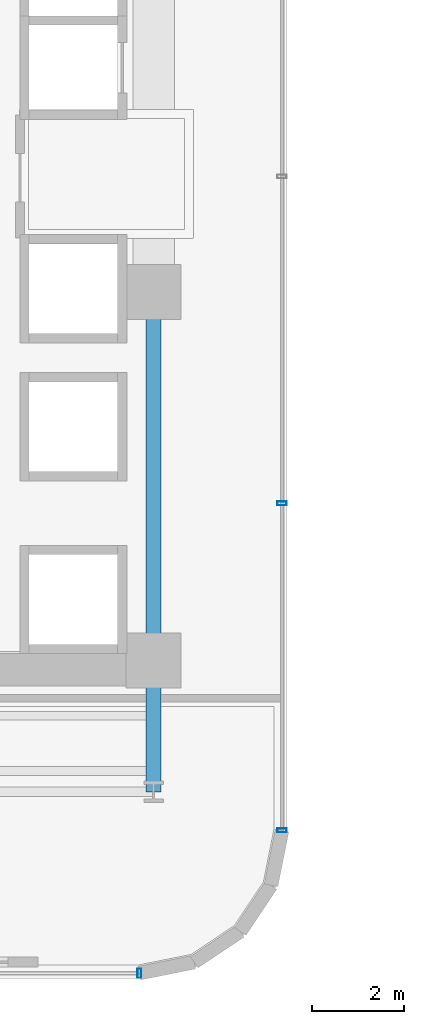
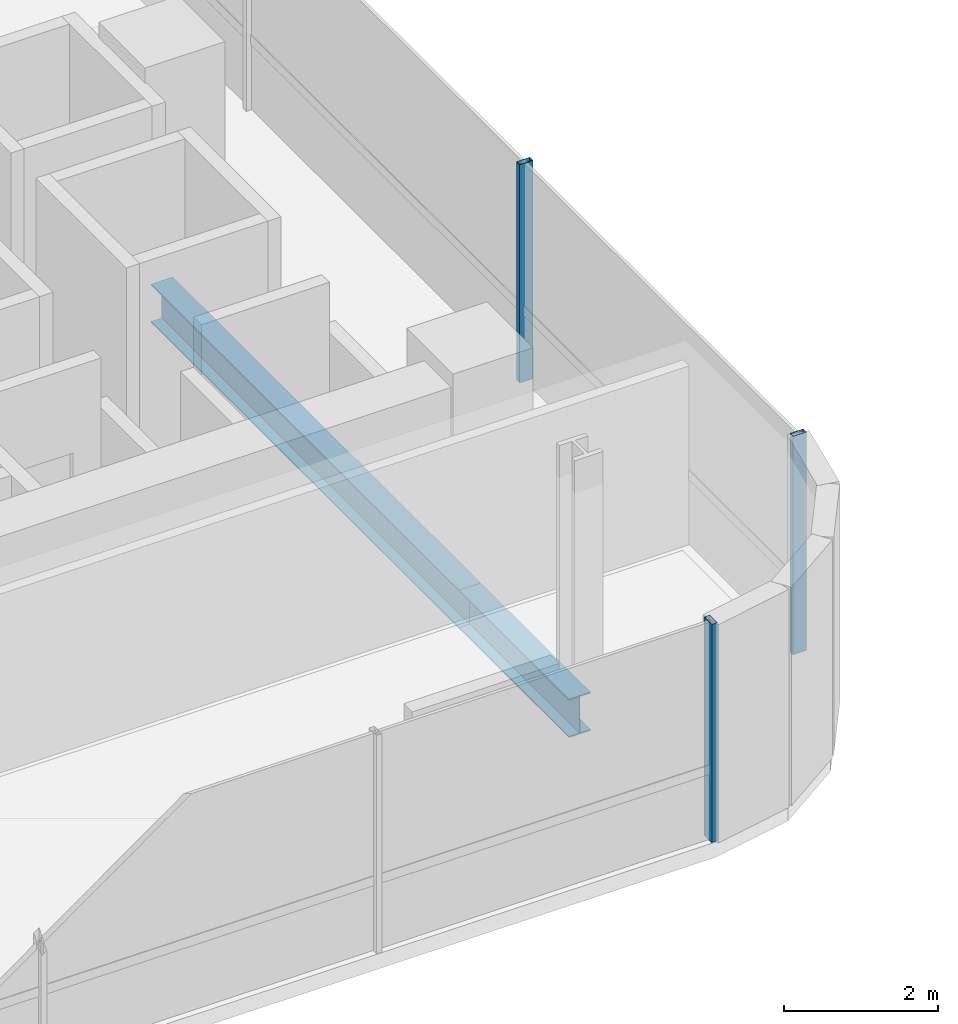
# One storey, part 5 of 35: 3 members, 2 beams, 2 elements without a shape of their own.
"""IFC4 building model written with IfcOpenShell, lengths in metres."""

from ifc_helpers import new_model, si_unit, direction, frame, origin, origin_2d, place, context, subcontext, project, spatial, hollow_rectangle, i_section, extrude, source, transform, mapped, material, material_profile, profile_set, type_object, element, aggregate, save


model = new_model("IFC4")

# Units and contexts
model_context = context("Model", 3, precision=1e-05, world=origin(), true_north=direction((0.0, 1.0)))
body_context = subcontext(model_context, "Body", "Model", "MODEL_VIEW")
ifc_project = project(units=[si_unit("LENGTHUNIT", "METRE"), si_unit("AREAUNIT", "SQUARE_METRE"), si_unit("VOLUMEUNIT", "CUBIC_METRE"), si_unit("PLANEANGLEUNIT", "RADIAN"), si_unit("MASSUNIT", "GRAM", prefix="KILO")], contexts=[model_context])

# Site, building, storey
site_placement = place(None, origin())
site = spatial("IfcSite", under=ifc_project, at=site_placement, CompositionType="ELEMENT")
building_placement = place(site_placement, origin())
building = spatial("IfcBuilding", under=site, at=building_placement, Name="Valdorenza Pilgrim Sanctuary Tower", CompositionType="ELEMENT")
storey_placement = place(building_placement, frame((0.0, 0.0, 105.699951171875)))
storey = spatial("IfcBuildingStorey", under=building, at=storey_placement, Name="L26", CompositionType="ELEMENT", Elevation=105.699951171875)

# Beams
ifc_material_1 = material(Name="Steel ASTM A992 Grade 50", Category="steel")
ifc_material_profile_1 = material_profile(ifc_material_1, i_section(OverallWidth=0.323974609375, OverallDepth=0.611083984375, WebThickness=0.0126953125, FlangeThickness=0.01904296875, at=origin_2d()), Name="W24X104")
ifc_profile_set_1 = profile_set([ifc_material_profile_1], Name="Steel ASTM A992 Grade 50")
beam_type = type_object("IfcBeamType", Name="STR-BM-GRD-W24B", PredefinedType="BEAM", material=ifc_profile_set_1)
shared_shape_1 = source(origin(), body_context, "Body", "SweptSolid", [
    extrude(i_section(OverallWidth=0.323974609375, OverallDepth=0.611083984375, WebThickness=0.0126953125, FlangeThickness=0.01904296875, at=origin_2d()), origin(), (0.0, 0.0, 1.0), 8.0),
])
beam_1_placement = place(storey_placement, frame((-12.39990234375, -10.60009765625, -0.54541015625), z_axis=(0.0, 1.0, 0.0), x_axis=(-1.0, 0.0, 0.0)))
element("IfcBeam", 1, at=beam_1_placement, inside=storey, type_object=beam_type, Name="L26 Core Tie Girder CA-E-S1M0", PredefinedType="BEAM", context=body_context, shape_type="MappedRepresentation", body=[
    mapped(shared_shape_1, transform((0.0, 0.0, 0.0), x_axis=(1.0, 0.0, 0.0), y_axis=(0.0, 1.0, 0.0), z_axis=(0.0, 0.0, 1.0), scale=1.0)),
])
shared_shape_2 = source(origin(), body_context, "Body", "SweptSolid", [
    extrude(i_section(OverallWidth=0.323974609375, OverallDepth=0.611083984375, WebThickness=0.0126953125, FlangeThickness=0.01904296875, at=origin_2d()), origin(), (0.0, 0.0, 1.0), 2.849853515625),
])
beam_2_placement = place(storey_placement, frame((-12.39990234375, -13.449951171875, -0.54541015625), z_axis=(0.0, 1.0, 0.0), x_axis=(-1.0, 0.0, 0.0)))
element("IfcBeam", 2, at=beam_2_placement, inside=storey, type_object=beam_type, Name="L26 Floor Girder WA-S-LE", PredefinedType="BEAM", context=body_context, shape_type="MappedRepresentation", body=[
    mapped(shared_shape_2, transform((0.0, 0.0, 0.0), x_axis=(1.0, 0.0, 0.0), y_axis=(0.0, 1.0, 0.0), z_axis=(0.0, 0.0, 1.0), scale=1.0)),
])

# Curtain wall, members
ifc_material_2 = material(Name="Curtain-wall IGU glazing", Category="glass")
curtain_wall_type = type_object("IfcCurtainWallType", Name="CW-SYS-02", PredefinedType="NOTDEFINED", material=ifc_material_2)
curtain_wall_1_placement = place(storey_placement, origin())
curtain_wall_1 = element("IfcCurtainWall", 3, at=curtain_wall_1_placement, inside=storey, type_object=curtain_wall_type, Name="L26 Curtain Wall CW-L26-1-41", PredefinedType="NOTDEFINED")
ifc_material_3 = material(Name="Anodised aluminium AW-6060", Category="aluminium")
ifc_material_profile_2 = material_profile(ifc_material_3, hollow_rectangle(XDim=0.0849609375, YDim=0.199951171875, WallThickness=0.0048828125, at=origin_2d()), Name="ALU-M 200x85x5")
ifc_profile_set_2 = profile_set([ifc_material_profile_2], Name="Anodised aluminium AW-6060")
member_type = type_object("IfcMemberType", Name="CW-MUL-02", PredefinedType="MULLION", material=ifc_profile_set_2)
shared_shape_3 = source(origin(), body_context, "Body", "SweptSolid", [
    extrude(hollow_rectangle(XDim=0.0849609375, YDim=0.199951171875, WallThickness=0.0048828125, at=origin_2d()), origin(), (0.0, 0.0, 1.0), 3.4599609375),
])
member_1_placement = place(storey_placement, frame((-9.610107421875, -7.189208984375, 0.0), z_axis=(0.0, 0.0, 1.0), x_axis=(0.0, -1.0, 0.0)))
member_1 = element("IfcMember", 4, at=member_1_placement, type_object=member_type, Name="CW-L26-1-41 Mullion 3", PredefinedType="MULLION", context=body_context, shape_type="MappedRepresentation", body=[
    mapped(shared_shape_3, transform((0.0, 0.0, 0.0), x_axis=(1.0, 0.0, 0.0), y_axis=(0.0, 1.0, 0.0), z_axis=(0.0, 0.0, 1.0), scale=1.0)),
])
member_2_placement = place(storey_placement, frame((-9.610107421875, -14.289306640625, 0.0), z_axis=(0.0, 0.0, 1.0), x_axis=(0.0, -1.0, 0.0)))
member_2 = element("IfcMember", 5, at=member_2_placement, type_object=member_type, Name="CW-L26-1-41 Mullion 4", PredefinedType="MULLION", context=body_context, shape_type="MappedRepresentation", body=[
    mapped(shared_shape_3, transform((0.0, 0.0, 0.0), x_axis=(1.0, 0.0, 0.0), y_axis=(0.0, 1.0, 0.0), z_axis=(0.0, 0.0, 1.0), scale=1.0)),
])
aggregate(curtain_wall_1, [member_1, member_2])

# Curtain wall, member
curtain_wall_2_placement = place(storey_placement, origin())
curtain_wall_2 = element("IfcCurtainWall", 6, at=curtain_wall_2_placement, inside=storey, type_object=curtain_wall_type, Name="L26 Curtain Wall CW-L26-1-46", PredefinedType="NOTDEFINED")
member_3_placement = place(storey_placement, frame((-12.710693359375, -17.389892578125, 0.0), z_axis=(0.0, 0.0, 1.0), x_axis=(-1.0, 0.0, 0.0)))
member_3 = element("IfcMember", 7, at=member_3_placement, type_object=member_type, Name="CW-L26-1-46 Mullion 1", PredefinedType="MULLION", context=body_context, shape_type="MappedRepresentation", body=[
    mapped(shared_shape_3, transform((0.0, 0.0, 0.0), x_axis=(1.0, 0.0, 0.0), y_axis=(0.0, 1.0, 0.0), z_axis=(0.0, 0.0, 1.0), scale=1.0)),
])
aggregate(curtain_wall_2, [member_3])

save(model, "model.ifc")
